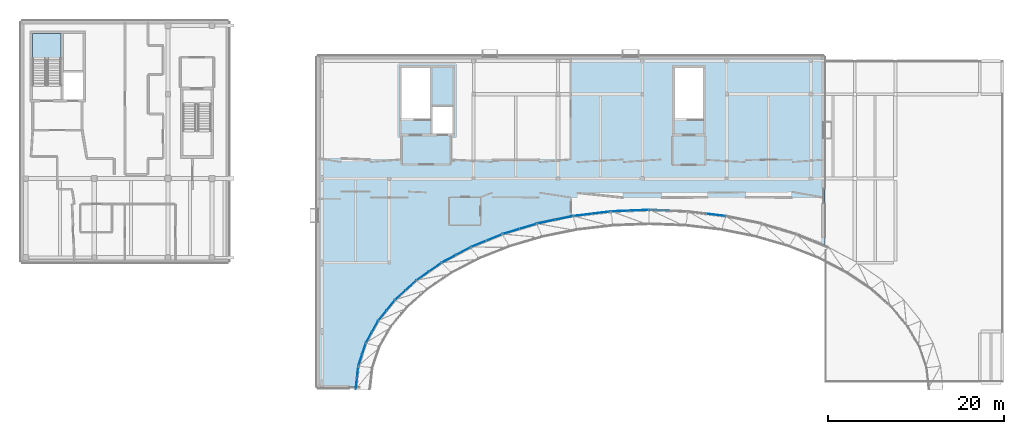
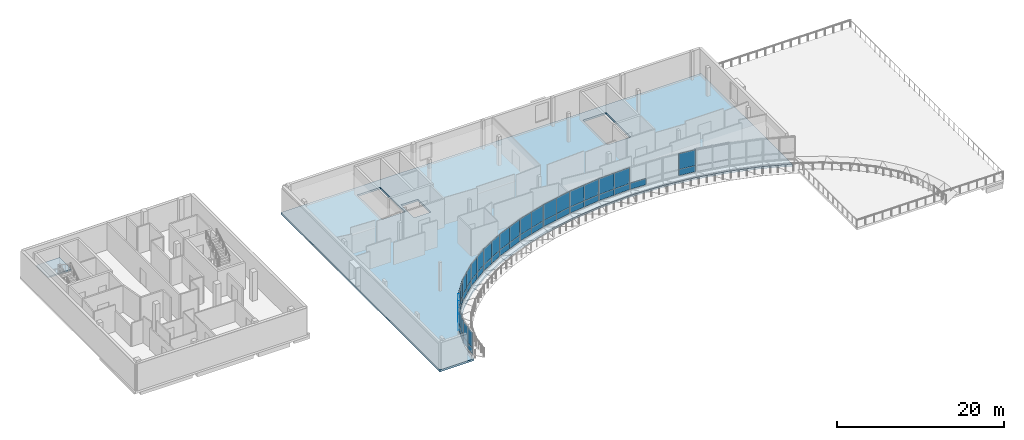
# One storey, part 9 of 18: 51 plates, 2 slabs, 15 elements without a shape of their own.
"""IFC4 building model written with IfcOpenShell, lengths in metres."""

from ifc_helpers import new_model, si_unit, direction, frame, origin, origin_2d, place, context, subcontext, project, spatial, polyline, rectangle, outline, extrude, material, layer, layer_set, type_object, element, aggregate, save


model = new_model("IFC4")

# Units and contexts
model_context = context("Model", 3, precision=1e-05, world=origin(), true_north=direction((0.0, 1.0)))
body_context = subcontext(model_context, "Body", "Model", "MODEL_VIEW")
ifc_project = project(units=[si_unit("LENGTHUNIT", "METRE"), si_unit("AREAUNIT", "SQUARE_METRE"), si_unit("VOLUMEUNIT", "CUBIC_METRE"), si_unit("PLANEANGLEUNIT", "RADIAN"), si_unit("MASSUNIT", "GRAM", prefix="KILO")], contexts=[model_context])

# Site, building, storey
site_placement = place(None, origin())
site = spatial("IfcSite", under=ifc_project, at=site_placement, CompositionType="ELEMENT")
building_placement = place(site_placement, origin())
building = spatial("IfcBuilding", under=site, at=building_placement, Name="Mzevani Central Library", CompositionType="ELEMENT")
storey_placement = place(building_placement, frame((0.0, 0.0, 18.300048828125)))
storey = spatial("IfcBuildingStorey", under=building, at=storey_placement, Name="L04", CompositionType="ELEMENT", Elevation=18.300048828125)

# Curtain wall, plate
ifc_material_1 = material(Name="Thermally broken aluminium and Low-E triple glazing", Category="aluminium")
curtain_wall_type_1 = type_object("IfcCurtainWallType", Name="Elliptical Court Unitised Curtain Wall", PredefinedType="NOTDEFINED", material=ifc_material_1)
curtain_wall_1_placement = place(storey_placement, origin())
curtain_wall_1 = element("IfcCurtainWall", 1, at=curtain_wall_1_placement, inside=storey, type_object=curtain_wall_type_1, Name="L04 Elliptical Court Curtain Wall 11", PredefinedType="NOTDEFINED")
ifc_material_2 = material(Name="Thermally broken aluminium AW-6060", Category="aluminium")
ifc_layer_1 = layer(ifc_material_2, 0.0419921875, Name="CW Insulated Spandrel Panel 42")
ifc_layer_set_1 = layer_set([ifc_layer_1], Name="Thermally broken aluminium AW-6060")
plate_type_1 = type_object("IfcPlateType", Name="CW Insulated Spandrel Panel 42", PredefinedType="CURTAIN_PANEL", material=ifc_layer_set_1)
plate_1_placement = place(storey_placement, frame((91.59619140625, 95.861572265625, 0.719970703125), z_axis=(0.0, 0.0, 1.0), x_axis=(-0.99274706406, 0.120221740128, 0.0)))
plate_1 = element("IfcPlate", 2, at=plate_1_placement, type_object=plate_type_1, Name="L04 Elliptical Court Curtain Wall 11 Spandrel Panel 1", PredefinedType="CURTAIN_PANEL", context=body_context, shape_type="SweptSolid", body=[
    extrude(rectangle(XDim=2.145263671875, YDim=0.0419921875, at=origin_2d()), origin(), (0.0, 0.0, 1.0), 0.89990234375),
])

curtain_wall_2_placement = place(storey_placement, origin())
curtain_wall_2 = element("IfcCurtainWall", 3, at=curtain_wall_2_placement, inside=storey, type_object=curtain_wall_type_1, Name="L04 Elliptical Court Curtain Wall 12", PredefinedType="NOTDEFINED")
plate_2_placement = place(storey_placement, frame((85.10693359375, 96.3876953125, 0.719970703125), z_axis=(0.0, 0.0, 1.0), x_axis=(-0.999205006518, 0.039866714796, 0.0)))
plate_2 = element("IfcPlate", 4, at=plate_2_placement, type_object=plate_type_1, Name="L04 Elliptical Court Curtain Wall 12 Spandrel Panel 3", PredefinedType="CURTAIN_PANEL", context=body_context, shape_type="SweptSolid", body=[
    extrude(rectangle(XDim=2.16845703125, YDim=0.0419921875, at=origin_2d()), origin(), (0.0, 0.0, 1.0), 0.89990234375),
])
aggregate(curtain_wall_2, [plate_2])

# Curtain wall, plates
curtain_wall_type_2 = type_object("IfcCurtainWallType", Name="Reading Hall Northlight Curtain Wall", PredefinedType="NOTDEFINED", material=ifc_material_1)
curtain_wall_3_placement = place(storey_placement, origin())
curtain_wall_3 = element("IfcCurtainWall", 5, at=curtain_wall_3_placement, inside=storey, type_object=curtain_wall_type_2, Name="L04 Elliptical Court Curtain Wall 13", PredefinedType="NOTDEFINED")
plate_3_placement = place(storey_placement, frame((82.89306640625, 96.3876953125, 0.719970703125), z_axis=(0.0, 0.0, 1.0), x_axis=(-0.999205006518, -0.039866714796, 0.0)))
plate_3 = element("IfcPlate", 6, at=plate_3_placement, type_object=plate_type_1, Name="L04 Elliptical Court Curtain Wall 13 Spandrel Panel 1", PredefinedType="CURTAIN_PANEL", context=body_context, shape_type="SweptSolid", body=[
    extrude(rectangle(XDim=2.16845703125, YDim=0.0419921875, at=origin_2d()), origin(), (0.0, 0.0, 1.0), 0.89990234375),
])
plate_4_placement = place(storey_placement, frame((80.726318359375, 96.30126953125, 0.719970703125), z_axis=(0.0, 0.0, 1.0), x_axis=(-0.999205006518, -0.039866714796, 0.0)))
plate_4 = element("IfcPlate", 7, at=plate_4_placement, type_object=plate_type_1, Name="L04 Elliptical Court Curtain Wall 13 Spandrel Panel 3", PredefinedType="CURTAIN_PANEL", context=body_context, shape_type="SweptSolid", body=[
    extrude(rectangle(XDim=2.16845703125, YDim=0.0419921875, at=origin_2d()), origin(), (0.0, 0.0, 1.0), 0.89990234375),
])

curtain_wall_4_placement = place(storey_placement, origin())
curtain_wall_4 = element("IfcCurtainWall", 8, at=curtain_wall_4_placement, inside=storey, type_object=curtain_wall_type_1, Name="L04 Elliptical Court Curtain Wall 14", PredefinedType="NOTDEFINED")
plate_5_placement = place(storey_placement, frame((78.533447265625, 96.11962890625, 0.719970703125), z_axis=(0.0, 0.0, 1.0), x_axis=(-0.99274706406, -0.120221740128, 0.0)))
plate_5 = element("IfcPlate", 9, at=plate_5_placement, type_object=plate_type_1, Name="L04 Elliptical Court Curtain Wall 14 Spandrel Panel 1", PredefinedType="CURTAIN_PANEL", context=body_context, shape_type="SweptSolid", body=[
    extrude(rectangle(XDim=2.145263671875, YDim=0.0419921875, at=origin_2d()), origin(), (0.0, 0.0, 1.0), 0.89990234375),
])
plate_6_placement = place(storey_placement, frame((76.40380859375, 95.861572265625, 0.719970703125), z_axis=(0.0, 0.0, 1.0), x_axis=(-0.99274706406, -0.120221740128, 0.0)))
plate_6 = element("IfcPlate", 10, at=plate_6_placement, type_object=plate_type_1, Name="L04 Elliptical Court Curtain Wall 14 Spandrel Panel 3", PredefinedType="CURTAIN_PANEL", context=body_context, shape_type="SweptSolid", body=[
    extrude(rectangle(XDim=2.145263671875, YDim=0.0419921875, at=origin_2d()), origin(), (0.0, 0.0, 1.0), 0.89990234375),
])

curtain_wall_5_placement = place(storey_placement, origin())
curtain_wall_5 = element("IfcCurtainWall", 11, at=curtain_wall_5_placement, inside=storey, type_object=curtain_wall_type_1, Name="L04 Elliptical Court Curtain Wall 15", PredefinedType="NOTDEFINED")
plate_7_placement = place(storey_placement, frame((74.27197265625, 95.503173828125, 0.719970703125), z_axis=(0.0, 0.0, 1.0), x_axis=(-0.979308727686, -0.202371974041, 0.0)))
plate_7 = element("IfcPlate", 12, at=plate_7_placement, type_object=plate_type_1, Name="L04 Elliptical Court Curtain Wall 15 Spandrel Panel 1", PredefinedType="CURTAIN_PANEL", context=body_context, shape_type="SweptSolid", body=[
    extrude(rectangle(XDim=2.099609375, YDim=0.0419921875, at=origin_2d()), origin(), (0.0, 0.0, 1.0), 0.89990234375),
])
plate_8_placement = place(storey_placement, frame((72.2158203125, 95.078369140625, 0.719970703125), z_axis=(0.0, 0.0, 1.0), x_axis=(-0.979308727686, -0.202371974041, 0.0)))
plate_8 = element("IfcPlate", 13, at=plate_8_placement, type_object=plate_type_1, Name="L04 Elliptical Court Curtain Wall 15 Spandrel Panel 3", PredefinedType="CURTAIN_PANEL", context=body_context, shape_type="SweptSolid", body=[
    extrude(rectangle(XDim=2.099609375, YDim=0.0419921875, at=origin_2d()), origin(), (0.0, 0.0, 1.0), 0.89990234375),
])

curtain_wall_6_placement = place(storey_placement, origin())
curtain_wall_6 = element("IfcCurtainWall", 14, at=curtain_wall_6_placement, inside=storey, type_object=curtain_wall_type_2, Name="L04 Elliptical Court Curtain Wall 16", PredefinedType="NOTDEFINED")
plate_9_placement = place(storey_placement, frame((70.1826171875, 94.55224609375, 0.719970703125), z_axis=(0.0, 0.0, 1.0), x_axis=(-0.957763292964, -0.287557776197, 0.0)))
plate_9 = element("IfcPlate", 15, at=plate_9_placement, type_object=plate_type_1, Name="L04 Elliptical Court Curtain Wall 16 Spandrel Panel 1", PredefinedType="CURTAIN_PANEL", context=body_context, shape_type="SweptSolid", body=[
    extrude(rectangle(XDim=2.033203125, YDim=0.0419921875, at=origin_2d()), origin(), (0.0, 0.0, 1.0), 0.89990234375),
])
plate_10_placement = place(storey_placement, frame((68.235107421875, 93.967529296875, 0.719970703125), z_axis=(0.0, 0.0, 1.0), x_axis=(-0.957763292964, -0.287557776197, 0.0)))
plate_10 = element("IfcPlate", 16, at=plate_10_placement, type_object=plate_type_1, Name="L04 Elliptical Court Curtain Wall 16 Spandrel Panel 3", PredefinedType="CURTAIN_PANEL", context=body_context, shape_type="SweptSolid", body=[
    extrude(rectangle(XDim=2.033203125, YDim=0.0419921875, at=origin_2d()), origin(), (0.0, 0.0, 1.0), 0.89990234375),
])

curtain_wall_7_placement = place(storey_placement, origin())
curtain_wall_7 = element("IfcCurtainWall", 17, at=curtain_wall_7_placement, inside=storey, type_object=curtain_wall_type_1, Name="L04 Elliptical Court Curtain Wall 17", PredefinedType="NOTDEFINED")
plate_11_placement = place(storey_placement, frame((66.334716796875, 93.285400390625, 0.719970703125), z_axis=(0.0, 0.0, 1.0), x_axis=(-0.926299293314, -0.376788560345, 0.0)))
plate_11 = element("IfcPlate", 18, at=plate_11_placement, type_object=plate_type_1, Name="L04 Elliptical Court Curtain Wall 17 Spandrel Panel 1", PredefinedType="CURTAIN_PANEL", context=body_context, shape_type="SweptSolid", body=[
    extrude(rectangle(XDim=1.94921875, YDim=0.0419921875, at=origin_2d()), origin(), (0.0, 0.0, 1.0), 0.89990234375),
])
plate_12_placement = place(storey_placement, frame((64.529296875, 92.55078125, 0.719970703125), z_axis=(0.0, 0.0, 1.0), x_axis=(-0.926299293314, -0.376788560345, 0.0)))
plate_12 = element("IfcPlate", 19, at=plate_12_placement, type_object=plate_type_1, Name="L04 Elliptical Court Curtain Wall 17 Spandrel Panel 3", PredefinedType="CURTAIN_PANEL", context=body_context, shape_type="SweptSolid", body=[
    extrude(rectangle(XDim=1.94921875, YDim=0.0419921875, at=origin_2d()), origin(), (0.0, 0.0, 1.0), 0.89990234375),
])

curtain_wall_8_placement = place(storey_placement, origin())
curtain_wall_8 = element("IfcCurtainWall", 20, at=curtain_wall_8_placement, inside=storey, type_object=curtain_wall_type_1, Name="L04 Elliptical Court Curtain Wall 18", PredefinedType="NOTDEFINED")
plate_13_placement = place(storey_placement, frame((62.792236328125, 91.72509765625, 0.719970703125), z_axis=(0.0, 0.0, 1.0), x_axis=(-0.882138374746, -0.470990326653, 0.0)))
plate_13 = element("IfcPlate", 21, at=plate_13_placement, type_object=plate_type_1, Name="L04 Elliptical Court Curtain Wall 18 Spandrel Panel 1", PredefinedType="CURTAIN_PANEL", context=body_context, shape_type="SweptSolid", body=[
    extrude(rectangle(XDim=1.8505859375, YDim=0.0419921875, at=origin_2d()), origin(), (0.0, 0.0, 1.0), 0.89990234375),
])
plate_14_placement = place(storey_placement, frame((61.15966796875, 90.853515625, 0.719970703125), z_axis=(0.0, 0.0, 1.0), x_axis=(-0.882138374746, -0.470990326653, 0.0)))
plate_14 = element("IfcPlate", 22, at=plate_14_placement, type_object=plate_type_1, Name="L04 Elliptical Court Curtain Wall 18 Spandrel Panel 3", PredefinedType="CURTAIN_PANEL", context=body_context, shape_type="SweptSolid", body=[
    extrude(rectangle(XDim=1.8505859375, YDim=0.0419921875, at=origin_2d()), origin(), (0.0, 0.0, 1.0), 0.89990234375),
])

curtain_wall_9_placement = place(storey_placement, origin())
curtain_wall_9 = element("IfcCurtainWall", 23, at=curtain_wall_9_placement, inside=storey, type_object=curtain_wall_type_2, Name="L04 Elliptical Court Curtain Wall 19", PredefinedType="NOTDEFINED")
plate_15_placement = place(storey_placement, frame((59.6142578125, 89.89892578125, 0.719970703125), z_axis=(0.0, 0.0, 1.0), x_axis=(-0.821459865294, -0.570266332261, 0.0)))
plate_15 = element("IfcPlate", 24, at=plate_15_placement, type_object=plate_type_1, Name="L04 Elliptical Court Curtain Wall 19 Spandrel Panel 1", PredefinedType="CURTAIN_PANEL", context=body_context, shape_type="SweptSolid", body=[
    extrude(rectangle(XDim=1.742919921875, YDim=0.0419921875, at=origin_2d()), origin(), (0.0, 0.0, 1.0), 0.89990234375),
])
plate_16_placement = place(storey_placement, frame((58.182373046875, 88.905029296875, 0.719970703125), z_axis=(0.0, 0.0, 1.0), x_axis=(-0.821459865294, -0.570266332261, 0.0)))
plate_16 = element("IfcPlate", 25, at=plate_16_placement, type_object=plate_type_1, Name="L04 Elliptical Court Curtain Wall 19 Spandrel Panel 3", PredefinedType="CURTAIN_PANEL", context=body_context, shape_type="SweptSolid", body=[
    extrude(rectangle(XDim=1.742919921875, YDim=0.0419921875, at=origin_2d()), origin(), (0.0, 0.0, 1.0), 0.89990234375),
])

curtain_wall_10_placement = place(storey_placement, origin())
curtain_wall_10 = element("IfcCurtainWall", 26, at=curtain_wall_10_placement, inside=storey, type_object=curtain_wall_type_1, Name="L04 Elliptical Court Curtain Wall 20", PredefinedType="NOTDEFINED")
plate_17_placement = place(storey_placement, frame((56.853759765625, 87.837890625, 0.719970703125), z_axis=(0.0, 0.0, 1.0), x_axis=(-0.739186924503, -0.673500327129, 0.0)))
plate_17 = element("IfcPlate", 27, at=plate_17_placement, type_object=plate_type_1, Name="L04 Elliptical Court Curtain Wall 20 Spandrel Panel 1", PredefinedType="CURTAIN_PANEL", context=body_context, shape_type="SweptSolid", body=[
    extrude(rectangle(XDim=1.632080078125, YDim=0.0419921875, at=origin_2d()), origin(), (0.0, 0.0, 1.0), 0.89990234375),
])
plate_18_placement = place(storey_placement, frame((55.6474609375, 86.73876953125, 0.719970703125), z_axis=(0.0, 0.0, 1.0), x_axis=(-0.739186924503, -0.673500327129, 0.0)))
plate_18 = element("IfcPlate", 28, at=plate_18_placement, type_object=plate_type_1, Name="L04 Elliptical Court Curtain Wall 20 Spandrel Panel 3", PredefinedType="CURTAIN_PANEL", context=body_context, shape_type="SweptSolid", body=[
    extrude(rectangle(XDim=1.632080078125, YDim=0.0419921875, at=origin_2d()), origin(), (0.0, 0.0, 1.0), 0.89990234375),
])

curtain_wall_11_placement = place(storey_placement, origin())
curtain_wall_11 = element("IfcCurtainWall", 29, at=curtain_wall_11_placement, inside=storey, type_object=curtain_wall_type_1, Name="L04 Elliptical Court Curtain Wall 21", PredefinedType="NOTDEFINED")
plate_19_placement = place(storey_placement, frame((54.55712890625, 85.57666015625, 0.719970703125), z_axis=(0.0, 0.0, 1.0), x_axis=(-0.629427538738, -0.777059182738, 0.0)))
plate_19 = element("IfcPlate", 30, at=plate_19_placement, type_object=plate_type_1, Name="L04 Elliptical Court Curtain Wall 21 Spandrel Panel 1", PredefinedType="CURTAIN_PANEL", context=body_context, shape_type="SweptSolid", body=[
    extrude(rectangle(XDim=1.52587890625, YDim=0.0419921875, at=origin_2d()), origin(), (0.0, 0.0, 1.0), 0.89990234375),
])
plate_20_placement = place(storey_placement, frame((53.5966796875, 84.39111328125, 0.719970703125), z_axis=(0.0, 0.0, 1.0), x_axis=(-0.629427538738, -0.777059182738, 0.0)))
plate_20 = element("IfcPlate", 31, at=plate_20_placement, type_object=plate_type_1, Name="L04 Elliptical Court Curtain Wall 21 Spandrel Panel 3", PredefinedType="CURTAIN_PANEL", context=body_context, shape_type="SweptSolid", body=[
    extrude(rectangle(XDim=1.52587890625, YDim=0.0419921875, at=origin_2d()), origin(), (0.0, 0.0, 1.0), 0.89990234375),
])

curtain_wall_12_placement = place(storey_placement, origin())
curtain_wall_12 = element("IfcCurtainWall", 32, at=curtain_wall_12_placement, inside=storey, type_object=curtain_wall_type_2, Name="L04 Elliptical Court Curtain Wall 22", PredefinedType="NOTDEFINED")
plate_21_placement = place(storey_placement, frame((52.7626953125, 83.153564453125, 0.719970703125), z_axis=(0.0, 0.0, 1.0), x_axis=(-0.4870199651, -0.873390836678, 0.0)))
plate_21 = element("IfcPlate", 33, at=plate_21_placement, type_object=plate_type_1, Name="L04 Elliptical Court Curtain Wall 22 Spandrel Panel 1", PredefinedType="CURTAIN_PANEL", context=body_context, shape_type="SweptSolid", body=[
    extrude(rectangle(XDim=1.43310546875, YDim=0.0419921875, at=origin_2d()), origin(), (0.0, 0.0, 1.0), 0.89990234375),
])
plate_22_placement = place(storey_placement, frame((52.064697265625, 81.90185546875, 0.719970703125), z_axis=(0.0, 0.0, 1.0), x_axis=(-0.4870199651, -0.873390836678, 0.0)))
plate_22 = element("IfcPlate", 34, at=plate_22_placement, type_object=plate_type_1, Name="L04 Elliptical Court Curtain Wall 22 Spandrel Panel 3", PredefinedType="CURTAIN_PANEL", context=body_context, shape_type="SweptSolid", body=[
    extrude(rectangle(XDim=1.43310546875, YDim=0.0419921875, at=origin_2d()), origin(), (0.0, 0.0, 1.0), 0.89990234375),
])

curtain_wall_13_placement = place(storey_placement, origin())
curtain_wall_13 = element("IfcCurtainWall", 35, at=curtain_wall_13_placement, inside=storey, type_object=curtain_wall_type_1, Name="L04 Elliptical Court Curtain Wall 23", PredefinedType="NOTDEFINED")
plate_23_placement = place(storey_placement, frame((51.5009765625, 80.609619140625, 0.719970703125), z_axis=(0.0, 0.0, 1.0), x_axis=(-0.310591821292, -0.950543381728, 0.0)))
plate_23 = element("IfcPlate", 36, at=plate_23_placement, type_object=plate_type_1, Name="L04 Elliptical Court Curtain Wall 23 Spandrel Panel 1", PredefinedType="CURTAIN_PANEL", context=body_context, shape_type="SweptSolid", body=[
    extrude(rectangle(XDim=1.364013671875, YDim=0.0419921875, at=origin_2d()), origin(), (0.0, 0.0, 1.0), 0.89990234375),
])
plate_24_placement = place(storey_placement, frame((51.077392578125, 79.31298828125, 0.719970703125), z_axis=(0.0, 0.0, 1.0), x_axis=(-0.310591821292, -0.950543381728, 0.0)))
plate_24 = element("IfcPlate", 37, at=plate_24_placement, type_object=plate_type_1, Name="L04 Elliptical Court Curtain Wall 23 Spandrel Panel 3", PredefinedType="CURTAIN_PANEL", context=body_context, shape_type="SweptSolid", body=[
    extrude(rectangle(XDim=1.364013671875, YDim=0.0419921875, at=origin_2d()), origin(), (0.0, 0.0, 1.0), 0.89990234375),
])

curtain_wall_14_placement = place(storey_placement, origin())
curtain_wall_14 = element("IfcCurtainWall", 38, at=curtain_wall_14_placement, inside=storey, type_object=curtain_wall_type_1, Name="L04 Elliptical Court Curtain Wall 24", PredefinedType="NOTDEFINED")
plate_25_placement = place(storey_placement, frame((50.793212890625, 77.987548828125, 0.719970703125), z_axis=(0.0, 0.0, 1.0), x_axis=(-0.107031107259, -0.99425567239, 0.0)))
plate_25 = element("IfcPlate", 39, at=plate_25_placement, type_object=plate_type_1, Name="L04 Elliptical Court Curtain Wall 24 Spandrel Panel 1", PredefinedType="CURTAIN_PANEL", context=body_context, shape_type="SweptSolid", body=[
    extrude(rectangle(XDim=1.32666015625, YDim=0.0419921875, at=origin_2d()), origin(), (0.0, 0.0, 1.0), 0.89990234375),
])
plate_26_placement = place(storey_placement, frame((50.651123046875, 76.66845703125, 0.719970703125), z_axis=(0.0, 0.0, 1.0), x_axis=(-0.107031107259, -0.99425567239, 0.0)))
plate_26 = element("IfcPlate", 40, at=plate_26_placement, type_object=plate_type_1, Name="L04 Elliptical Court Curtain Wall 24 Spandrel Panel 3", PredefinedType="CURTAIN_PANEL", context=body_context, shape_type="SweptSolid", body=[
    extrude(rectangle(XDim=1.32666015625, YDim=0.0419921875, at=origin_2d()), origin(), (0.0, 0.0, 1.0), 0.89990234375),
])

# Plate
ifc_material_3 = material(Name="Low-E triple glazing glass", Category="glass")
ifc_layer_2 = layer(ifc_material_3, 0.028076171875, Name="CW Triple Glazed Vision Panel 28")
ifc_layer_set_2 = layer_set([ifc_layer_2], Name="Low-E triple glazing glass")
plate_type_2 = type_object("IfcPlateType", Name="CW Triple Glazed Vision Panel 28", PredefinedType="CURTAIN_PANEL", material=ifc_layer_set_2)
plate_27_placement = place(storey_placement, frame((91.59619140625, 95.861572265625, 1.6201171875), z_axis=(0.0, 0.0, 1.0), x_axis=(-0.99274706406, 0.120221740128, 0.0)))
plate_27 = element("IfcPlate", 41, at=plate_27_placement, type_object=plate_type_2, Name="L04 Elliptical Court Curtain Wall 11 Vision Panel 2", PredefinedType="CURTAIN_PANEL", context=body_context, shape_type="SweptSolid", body=[
    extrude(rectangle(XDim=2.145263671875, YDim=0.028076171875, at=origin_2d()), origin(), (0.0, 0.0, 1.0), 2.300048828125),
])

aggregate(curtain_wall_1, [plate_1, plate_27])

plate_28_placement = place(storey_placement, frame((82.89306640625, 96.3876953125, 1.6201171875), z_axis=(0.0, 0.0, 1.0), x_axis=(-0.999205006518, -0.039866714796, 0.0)))
plate_28 = element("IfcPlate", 42, at=plate_28_placement, type_object=plate_type_2, Name="L04 Elliptical Court Curtain Wall 13 Vision Panel 2", PredefinedType="CURTAIN_PANEL", context=body_context, shape_type="SweptSolid", body=[
    extrude(rectangle(XDim=2.16845703125, YDim=0.028076171875, at=origin_2d()), origin(), (0.0, 0.0, 1.0), 2.300048828125),
])

plate_29_placement = place(storey_placement, frame((80.726318359375, 96.30126953125, 1.6201171875), z_axis=(0.0, 0.0, 1.0), x_axis=(-0.999205006518, -0.039866714796, 0.0)))
plate_29 = element("IfcPlate", 43, at=plate_29_placement, type_object=plate_type_2, Name="L04 Elliptical Court Curtain Wall 13 Vision Panel 4", PredefinedType="CURTAIN_PANEL", context=body_context, shape_type="SweptSolid", body=[
    extrude(rectangle(XDim=2.16845703125, YDim=0.028076171875, at=origin_2d()), origin(), (0.0, 0.0, 1.0), 2.300048828125),
])

aggregate(curtain_wall_3, [plate_3, plate_28, plate_4, plate_29])

plate_30_placement = place(storey_placement, frame((78.533447265625, 96.11962890625, 1.6201171875), z_axis=(0.0, 0.0, 1.0), x_axis=(-0.99274706406, -0.120221740128, 0.0)))
plate_30 = element("IfcPlate", 44, at=plate_30_placement, type_object=plate_type_2, Name="L04 Elliptical Court Curtain Wall 14 Vision Panel 2", PredefinedType="CURTAIN_PANEL", context=body_context, shape_type="SweptSolid", body=[
    extrude(rectangle(XDim=2.145263671875, YDim=0.028076171875, at=origin_2d()), origin(), (0.0, 0.0, 1.0), 2.300048828125),
])

plate_31_placement = place(storey_placement, frame((76.40380859375, 95.861572265625, 1.6201171875), z_axis=(0.0, 0.0, 1.0), x_axis=(-0.99274706406, -0.120221740128, 0.0)))
plate_31 = element("IfcPlate", 45, at=plate_31_placement, type_object=plate_type_2, Name="L04 Elliptical Court Curtain Wall 14 Vision Panel 4", PredefinedType="CURTAIN_PANEL", context=body_context, shape_type="SweptSolid", body=[
    extrude(rectangle(XDim=2.145263671875, YDim=0.028076171875, at=origin_2d()), origin(), (0.0, 0.0, 1.0), 2.300048828125),
])

aggregate(curtain_wall_4, [plate_5, plate_30, plate_6, plate_31])

plate_32_placement = place(storey_placement, frame((74.27197265625, 95.503173828125, 1.6201171875), z_axis=(0.0, 0.0, 1.0), x_axis=(-0.979308727686, -0.202371974041, 0.0)))
plate_32 = element("IfcPlate", 46, at=plate_32_placement, type_object=plate_type_2, Name="L04 Elliptical Court Curtain Wall 15 Vision Panel 2", PredefinedType="CURTAIN_PANEL", context=body_context, shape_type="SweptSolid", body=[
    extrude(rectangle(XDim=2.099609375, YDim=0.028076171875, at=origin_2d()), origin(), (0.0, 0.0, 1.0), 2.300048828125),
])

plate_33_placement = place(storey_placement, frame((72.2158203125, 95.078369140625, 1.6201171875), z_axis=(0.0, 0.0, 1.0), x_axis=(-0.979308727686, -0.202371974041, 0.0)))
plate_33 = element("IfcPlate", 47, at=plate_33_placement, type_object=plate_type_2, Name="L04 Elliptical Court Curtain Wall 15 Vision Panel 4", PredefinedType="CURTAIN_PANEL", context=body_context, shape_type="SweptSolid", body=[
    extrude(rectangle(XDim=2.099609375, YDim=0.028076171875, at=origin_2d()), origin(), (0.0, 0.0, 1.0), 2.300048828125),
])

aggregate(curtain_wall_5, [plate_7, plate_32, plate_8, plate_33])

plate_34_placement = place(storey_placement, frame((70.1826171875, 94.55224609375, 1.6201171875), z_axis=(0.0, 0.0, 1.0), x_axis=(-0.957763292964, -0.287557776197, 0.0)))
plate_34 = element("IfcPlate", 48, at=plate_34_placement, type_object=plate_type_2, Name="L04 Elliptical Court Curtain Wall 16 Vision Panel 2", PredefinedType="CURTAIN_PANEL", context=body_context, shape_type="SweptSolid", body=[
    extrude(rectangle(XDim=2.033203125, YDim=0.028076171875, at=origin_2d()), origin(), (0.0, 0.0, 1.0), 2.300048828125),
])

plate_35_placement = place(storey_placement, frame((68.235107421875, 93.967529296875, 1.6201171875), z_axis=(0.0, 0.0, 1.0), x_axis=(-0.957763292964, -0.287557776197, 0.0)))
plate_35 = element("IfcPlate", 49, at=plate_35_placement, type_object=plate_type_2, Name="L04 Elliptical Court Curtain Wall 16 Vision Panel 4", PredefinedType="CURTAIN_PANEL", context=body_context, shape_type="SweptSolid", body=[
    extrude(rectangle(XDim=2.033203125, YDim=0.028076171875, at=origin_2d()), origin(), (0.0, 0.0, 1.0), 2.300048828125),
])

aggregate(curtain_wall_6, [plate_9, plate_34, plate_10, plate_35])

plate_36_placement = place(storey_placement, frame((66.334716796875, 93.285400390625, 1.6201171875), z_axis=(0.0, 0.0, 1.0), x_axis=(-0.926299293314, -0.376788560345, 0.0)))
plate_36 = element("IfcPlate", 50, at=plate_36_placement, type_object=plate_type_2, Name="L04 Elliptical Court Curtain Wall 17 Vision Panel 2", PredefinedType="CURTAIN_PANEL", context=body_context, shape_type="SweptSolid", body=[
    extrude(rectangle(XDim=1.94921875, YDim=0.028076171875, at=origin_2d()), origin(), (0.0, 0.0, 1.0), 2.300048828125),
])

plate_37_placement = place(storey_placement, frame((64.529296875, 92.55078125, 1.6201171875), z_axis=(0.0, 0.0, 1.0), x_axis=(-0.926299293314, -0.376788560345, 0.0)))
plate_37 = element("IfcPlate", 51, at=plate_37_placement, type_object=plate_type_2, Name="L04 Elliptical Court Curtain Wall 17 Vision Panel 4", PredefinedType="CURTAIN_PANEL", context=body_context, shape_type="SweptSolid", body=[
    extrude(rectangle(XDim=1.94921875, YDim=0.028076171875, at=origin_2d()), origin(), (0.0, 0.0, 1.0), 2.300048828125),
])

aggregate(curtain_wall_7, [plate_11, plate_36, plate_12, plate_37])

plate_38_placement = place(storey_placement, frame((62.792236328125, 91.72509765625, 1.6201171875), z_axis=(0.0, 0.0, 1.0), x_axis=(-0.882138374746, -0.470990326653, 0.0)))
plate_38 = element("IfcPlate", 52, at=plate_38_placement, type_object=plate_type_2, Name="L04 Elliptical Court Curtain Wall 18 Vision Panel 2", PredefinedType="CURTAIN_PANEL", context=body_context, shape_type="SweptSolid", body=[
    extrude(rectangle(XDim=1.8505859375, YDim=0.028076171875, at=origin_2d()), origin(), (0.0, 0.0, 1.0), 2.300048828125),
])

plate_39_placement = place(storey_placement, frame((61.15966796875, 90.853515625, 1.6201171875), z_axis=(0.0, 0.0, 1.0), x_axis=(-0.882138374746, -0.470990326653, 0.0)))
plate_39 = element("IfcPlate", 53, at=plate_39_placement, type_object=plate_type_2, Name="L04 Elliptical Court Curtain Wall 18 Vision Panel 4", PredefinedType="CURTAIN_PANEL", context=body_context, shape_type="SweptSolid", body=[
    extrude(rectangle(XDim=1.8505859375, YDim=0.028076171875, at=origin_2d()), origin(), (0.0, 0.0, 1.0), 2.300048828125),
])

aggregate(curtain_wall_8, [plate_13, plate_38, plate_14, plate_39])

plate_40_placement = place(storey_placement, frame((59.6142578125, 89.89892578125, 1.6201171875), z_axis=(0.0, 0.0, 1.0), x_axis=(-0.821459865294, -0.570266332261, 0.0)))
plate_40 = element("IfcPlate", 54, at=plate_40_placement, type_object=plate_type_2, Name="L04 Elliptical Court Curtain Wall 19 Vision Panel 2", PredefinedType="CURTAIN_PANEL", context=body_context, shape_type="SweptSolid", body=[
    extrude(rectangle(XDim=1.742919921875, YDim=0.028076171875, at=origin_2d()), origin(), (0.0, 0.0, 1.0), 2.300048828125),
])

plate_41_placement = place(storey_placement, frame((58.182373046875, 88.905029296875, 1.6201171875), z_axis=(0.0, 0.0, 1.0), x_axis=(-0.821459865294, -0.570266332261, 0.0)))
plate_41 = element("IfcPlate", 55, at=plate_41_placement, type_object=plate_type_2, Name="L04 Elliptical Court Curtain Wall 19 Vision Panel 4", PredefinedType="CURTAIN_PANEL", context=body_context, shape_type="SweptSolid", body=[
    extrude(rectangle(XDim=1.742919921875, YDim=0.028076171875, at=origin_2d()), origin(), (0.0, 0.0, 1.0), 2.300048828125),
])

aggregate(curtain_wall_9, [plate_15, plate_40, plate_16, plate_41])

plate_42_placement = place(storey_placement, frame((56.853759765625, 87.837890625, 1.6201171875), z_axis=(0.0, 0.0, 1.0), x_axis=(-0.739186924503, -0.673500327129, 0.0)))
plate_42 = element("IfcPlate", 56, at=plate_42_placement, type_object=plate_type_2, Name="L04 Elliptical Court Curtain Wall 20 Vision Panel 2", PredefinedType="CURTAIN_PANEL", context=body_context, shape_type="SweptSolid", body=[
    extrude(rectangle(XDim=1.632080078125, YDim=0.028076171875, at=origin_2d()), origin(), (0.0, 0.0, 1.0), 2.300048828125),
])

plate_43_placement = place(storey_placement, frame((55.6474609375, 86.73876953125, 1.6201171875), z_axis=(0.0, 0.0, 1.0), x_axis=(-0.739186924503, -0.673500327129, 0.0)))
plate_43 = element("IfcPlate", 57, at=plate_43_placement, type_object=plate_type_2, Name="L04 Elliptical Court Curtain Wall 20 Vision Panel 4", PredefinedType="CURTAIN_PANEL", context=body_context, shape_type="SweptSolid", body=[
    extrude(rectangle(XDim=1.632080078125, YDim=0.028076171875, at=origin_2d()), origin(), (0.0, 0.0, 1.0), 2.300048828125),
])

aggregate(curtain_wall_10, [plate_17, plate_42, plate_18, plate_43])

plate_44_placement = place(storey_placement, frame((54.55712890625, 85.57666015625, 1.6201171875), z_axis=(0.0, 0.0, 1.0), x_axis=(-0.629427538738, -0.777059182738, 0.0)))
plate_44 = element("IfcPlate", 58, at=plate_44_placement, type_object=plate_type_2, Name="L04 Elliptical Court Curtain Wall 21 Vision Panel 2", PredefinedType="CURTAIN_PANEL", context=body_context, shape_type="SweptSolid", body=[
    extrude(rectangle(XDim=1.52587890625, YDim=0.028076171875, at=origin_2d()), origin(), (0.0, 0.0, 1.0), 2.300048828125),
])

plate_45_placement = place(storey_placement, frame((53.5966796875, 84.39111328125, 1.6201171875), z_axis=(0.0, 0.0, 1.0), x_axis=(-0.629427538738, -0.777059182738, 0.0)))
plate_45 = element("IfcPlate", 59, at=plate_45_placement, type_object=plate_type_2, Name="L04 Elliptical Court Curtain Wall 21 Vision Panel 4", PredefinedType="CURTAIN_PANEL", context=body_context, shape_type="SweptSolid", body=[
    extrude(rectangle(XDim=1.52587890625, YDim=0.028076171875, at=origin_2d()), origin(), (0.0, 0.0, 1.0), 2.300048828125),
])

aggregate(curtain_wall_11, [plate_19, plate_44, plate_20, plate_45])

plate_46_placement = place(storey_placement, frame((52.7626953125, 83.153564453125, 1.6201171875), z_axis=(0.0, 0.0, 1.0), x_axis=(-0.4870199651, -0.873390836678, 0.0)))
plate_46 = element("IfcPlate", 60, at=plate_46_placement, type_object=plate_type_2, Name="L04 Elliptical Court Curtain Wall 22 Vision Panel 2", PredefinedType="CURTAIN_PANEL", context=body_context, shape_type="SweptSolid", body=[
    extrude(rectangle(XDim=1.43310546875, YDim=0.028076171875, at=origin_2d()), origin(), (0.0, 0.0, 1.0), 2.300048828125),
])

plate_47_placement = place(storey_placement, frame((52.064697265625, 81.90185546875, 1.6201171875), z_axis=(0.0, 0.0, 1.0), x_axis=(-0.4870199651, -0.873390836678, 0.0)))
plate_47 = element("IfcPlate", 61, at=plate_47_placement, type_object=plate_type_2, Name="L04 Elliptical Court Curtain Wall 22 Vision Panel 4", PredefinedType="CURTAIN_PANEL", context=body_context, shape_type="SweptSolid", body=[
    extrude(rectangle(XDim=1.43310546875, YDim=0.028076171875, at=origin_2d()), origin(), (0.0, 0.0, 1.0), 2.300048828125),
])

aggregate(curtain_wall_12, [plate_21, plate_46, plate_22, plate_47])

plate_48_placement = place(storey_placement, frame((51.5009765625, 80.609619140625, 1.6201171875), z_axis=(0.0, 0.0, 1.0), x_axis=(-0.310591821292, -0.950543381728, 0.0)))
plate_48 = element("IfcPlate", 62, at=plate_48_placement, type_object=plate_type_2, Name="L04 Elliptical Court Curtain Wall 23 Vision Panel 2", PredefinedType="CURTAIN_PANEL", context=body_context, shape_type="SweptSolid", body=[
    extrude(rectangle(XDim=1.364013671875, YDim=0.028076171875, at=origin_2d()), origin(), (0.0, 0.0, 1.0), 2.300048828125),
])

plate_49_placement = place(storey_placement, frame((51.077392578125, 79.31298828125, 1.6201171875), z_axis=(0.0, 0.0, 1.0), x_axis=(-0.310591821292, -0.950543381728, 0.0)))
plate_49 = element("IfcPlate", 63, at=plate_49_placement, type_object=plate_type_2, Name="L04 Elliptical Court Curtain Wall 23 Vision Panel 4", PredefinedType="CURTAIN_PANEL", context=body_context, shape_type="SweptSolid", body=[
    extrude(rectangle(XDim=1.364013671875, YDim=0.028076171875, at=origin_2d()), origin(), (0.0, 0.0, 1.0), 2.300048828125),
])

aggregate(curtain_wall_13, [plate_23, plate_48, plate_24, plate_49])

plate_50_placement = place(storey_placement, frame((50.793212890625, 77.987548828125, 1.6201171875), z_axis=(0.0, 0.0, 1.0), x_axis=(-0.107031107259, -0.99425567239, 0.0)))
plate_50 = element("IfcPlate", 64, at=plate_50_placement, type_object=plate_type_2, Name="L04 Elliptical Court Curtain Wall 24 Vision Panel 2", PredefinedType="CURTAIN_PANEL", context=body_context, shape_type="SweptSolid", body=[
    extrude(rectangle(XDim=1.32666015625, YDim=0.028076171875, at=origin_2d()), origin(), (0.0, 0.0, 1.0), 2.300048828125),
])

plate_51_placement = place(storey_placement, frame((50.651123046875, 76.66845703125, 1.6201171875), z_axis=(0.0, 0.0, 1.0), x_axis=(-0.107031107259, -0.99425567239, 0.0)))
plate_51 = element("IfcPlate", 65, at=plate_51_placement, type_object=plate_type_2, Name="L04 Elliptical Court Curtain Wall 24 Vision Panel 4", PredefinedType="CURTAIN_PANEL", context=body_context, shape_type="SweptSolid", body=[
    extrude(rectangle(XDim=1.32666015625, YDim=0.028076171875, at=origin_2d()), origin(), (0.0, 0.0, 1.0), 2.300048828125),
])

aggregate(curtain_wall_14, [plate_25, plate_50, plate_26, plate_51])

# Slab
ifc_material_4 = material(Name="Concrete C35/45", Category="concrete")
ifc_layer_3 = layer(ifc_material_4, 0.280029296875, Name="Open Stack Floor Slab 280")
ifc_layer_set_3 = layer_set([ifc_layer_3], Name="Concrete C35/45")
slab_type_1 = type_object("IfcSlabType", Name="Open Stack Floor Slab 280", PredefinedType="FLOOR", material=ifc_layer_set_3)
slab_1_placement = place(storey_placement, frame((0.0, 0.0, -0.280029296875)))
element("IfcSlab", 66, at=slab_1_placement, inside=storey, type_object=slab_type_1, Name="L04 V3 Structural Slab FS-03", PredefinedType="FLOOR", context=body_context, shape_type="SweptSolid", body=[
    extrude(outline(polyline([(46.10009765625, 76.10009765625), (46.10009765625, 114.0), (104.0, 114.0), (104.0, 92.121337890625), (100.60009765625, 93.50439453125), (96.705078125, 94.673583984375), (92.5927734375, 95.523681640625), (88.33349609375, 96.039306640625), (84.0, 96.21240234375), (79.66650390625, 96.039306640625), (75.4072265625, 95.523681640625), (71.294921875, 94.673583984375), (67.39990234375, 93.50439453125), (63.7890625, 92.035400390625), (60.524169921875, 90.292236328125), (57.66064453125, 88.304443359375), (55.248046875, 86.106201171875), (53.3271484375, 83.73486328125), (51.931396484375, 81.231201171875), (51.083984375, 78.63818359375), (50.810791015625, 76.10009765625), (46.10009765625, 76.10009765625)]), holes=[polyline([(59.0, 106.699951171875), (59.0, 112.60009765625), (55.800048828125, 112.60009765625), (55.800048828125, 106.699951171875), (59.0, 106.699951171875)]), polyline([(59.300048828125, 105.10009765625), (61.60009765625, 105.10009765625), (61.60009765625, 108.199951171875), (59.300048828125, 108.199951171875), (59.300048828125, 105.10009765625)]), polyline([(90.10009765625, 106.699951171875), (90.10009765625, 112.60009765625), (86.89990234375, 112.60009765625), (86.89990234375, 106.699951171875), (90.10009765625, 106.699951171875)])]), origin(), (0.0, 0.0, 1.0), 0.280029296875),
])

# Stair, slab
stair_type = type_object("IfcStairType", Name="Dogleg Exit Stair 175x280", PredefinedType="HALF_TURN_STAIR", material=ifc_material_4)
stair_placement = place(storey_placement, origin())
stair = element("IfcStair", 67, at=stair_placement, inside=storey, type_object=stair_type, Name="L04 Core C2A North-West Firefighting Core Exit Stair ST-02", PredefinedType="HALF_TURN_STAIR")
ifc_layer_4 = layer(ifc_material_4, 0.199951171875, Name="Stair Landing Slab 200")
ifc_layer_set_4 = layer_set([ifc_layer_4], Name="Concrete C35/45")
slab_type_2 = type_object("IfcSlabType", Name="Stair Landing Slab 200", PredefinedType="LANDING", material=ifc_layer_set_4)
slab_2_placement = place(storey_placement, frame((0.0, 0.0, 1.89990234375)))
slab_2 = element("IfcSlab", 68, at=slab_2_placement, type_object=slab_type_2, Name="ST-03 landing 1", PredefinedType="LANDING", context=body_context, shape_type="SweptSolid", body=[
    extrude(outline(polyline([(17.0, 113.679931640625), (17.0, 116.5), (13.800048828125, 116.5), (13.800048828125, 113.679931640625), (17.0, 113.679931640625)])), origin(), (0.0, 0.0, 1.0), 0.199951171875),
])
aggregate(stair, [slab_2])

save(model, "model.ifc")
